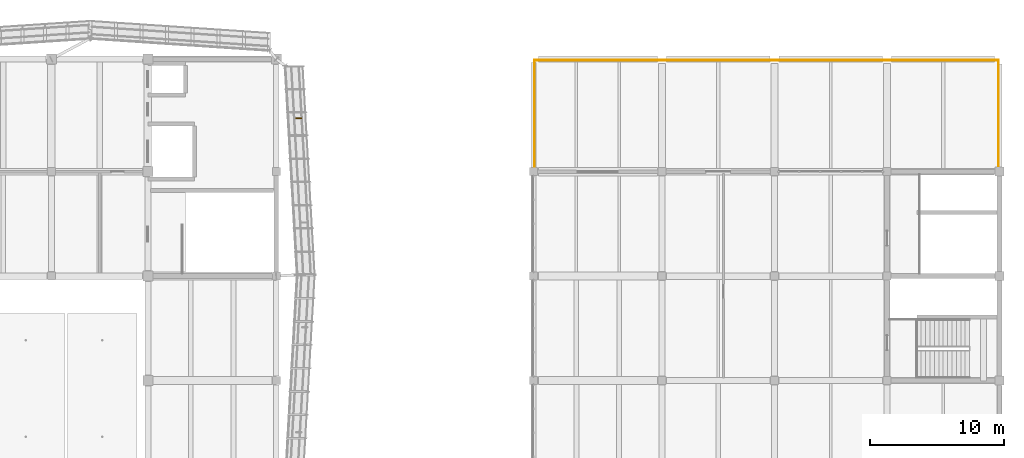
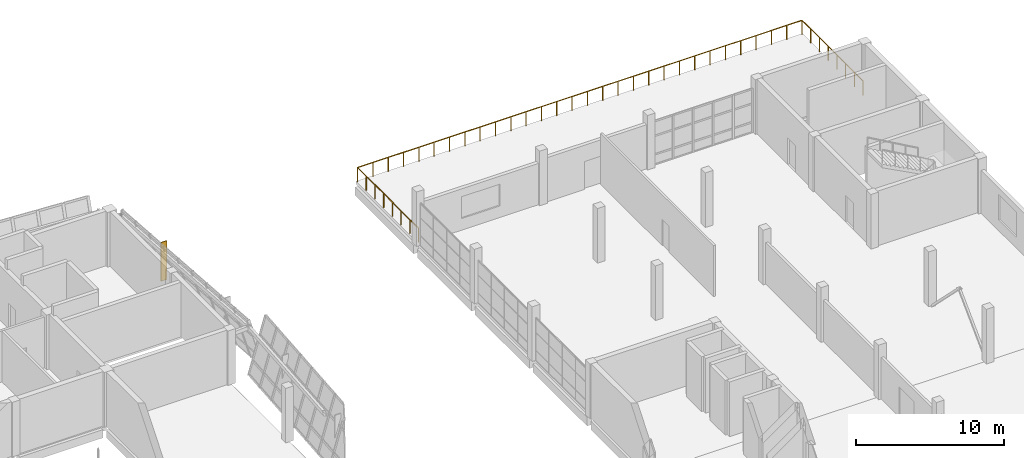
# One storey, part 71 of 71: 1 railing, 1 shading device.
"""IFC4 building model written with IfcOpenShell, lengths in metres."""

from ifc_helpers import new_model, si_unit, direction, frame, origin, origin_2d, place, context, subcontext, project, spatial, rectangle, circle, extrude, material, type_object, element, save


model = new_model("IFC4")

# Units and contexts
model_context = context("Model", 3, precision=1e-05, world=origin(), true_north=direction((0.0, 1.0)))
body_context = subcontext(model_context, "Body", "Model", "MODEL_VIEW")
ifc_project = project(units=[si_unit("LENGTHUNIT", "METRE"), si_unit("AREAUNIT", "SQUARE_METRE"), si_unit("VOLUMEUNIT", "CUBIC_METRE"), si_unit("PLANEANGLEUNIT", "RADIAN"), si_unit("MASSUNIT", "GRAM", prefix="KILO")], contexts=[model_context])

# Site, building, storey
site_placement = place(None, origin())
site = spatial("IfcSite", under=ifc_project, at=site_placement, CompositionType="ELEMENT")
building_placement = place(site_placement, origin())
building = spatial("IfcBuilding", under=site, at=building_placement, Name="Pellamere Symphony Hall", CompositionType="ELEMENT")
storey_placement = place(building_placement, frame((0.0, 0.0, 15.0)))
storey = spatial("IfcBuildingStorey", under=building, at=storey_placement, Name="L03", CompositionType="ELEMENT", Elevation=15.0)

# Shading device
ifc_material_1 = material(Name="Champagne-Anodised Extruded Aluminium 6063-T6", Category="aluminium")
shading_device_type = type_object("IfcShadingDeviceType", Name="Exterior Shading SD-01 65x450", PredefinedType="SHUTTER", material=ifc_material_1)
shading_device_placement = place(storey_placement, frame((120.4814453125, 89.199951171875, 0.64990234375), z_axis=(0.0, 0.0, 1.0), x_axis=(0.0, 1.0, 0.0)))
element("IfcShadingDevice", 1, at=shading_device_placement, inside=storey, type_object=shading_device_type, Name="Crystal Acoustic Sunshade Fin CW-CR09 (L03)", PredefinedType="SHUTTER", context=body_context, shape_type="SweptSolid", body=[
    extrude(rectangle(XDim=0.06494140625, YDim=0.449951171875, at=origin_2d()), origin(), (0.0, 0.0, 1.0), 3.199951171875),
])

# Railing
ifc_material_2 = material(Name="Laminated Safety Glass 21.5mm with Stainless Cap", Category="glass")
railing_type = type_object("IfcRailingType", Name="Guardrail GR-03 H1180 Laminated", PredefinedType="GUARDRAIL", material=ifc_material_2)
railing_placement = place(storey_placement, frame((138.080078125, 85.280029296875, 0.0)))
element("IfcRailing", 2, at=railing_placement, inside=storey, type_object=railing_type, Name="Safety Guardrail GR-TER-L03-V5N", PredefinedType="GUARDRAIL", context=body_context, shape_type="SweptSolid", body=[
    extrude(circle(Radius=0.02392578125, at=origin_2d()), frame((0.0, 0.0, 1.15576171875), z_axis=(0.0, 1.0, 0.0), x_axis=(-1.0, 0.0, 0.0)), (0.0, 0.0, 1.0), 8.239990234375),
    extrude(circle(Radius=0.02392578125, at=origin_2d()), frame((0.0, 8.239990234375, 1.15576171875), z_axis=(1.0, 0.0, 0.0), x_axis=(0.0, 1.0, 0.0)), (0.0, 0.0, 1.0), 34.639892578125),
    extrude(circle(Radius=0.02392578125, at=origin_2d()), frame((34.639892578125, 8.239990234375, 1.15576171875), z_axis=(0.0, -1.0, 0.0), x_axis=(1.0, 0.0, 0.0)), (0.0, 0.0, 1.0), 8.239990234375),
    extrude(circle(Radius=0.02099609375, at=origin_2d()), origin(), (0.0, 0.0, 1.0), 1.1318359375),
    extrude(circle(Radius=0.02099609375, at=origin_2d()), frame((0.0, 1.17724609375, 0.0)), (0.0, 0.0, 1.0), 1.1318359375),
    extrude(circle(Radius=0.02099609375, at=origin_2d()), frame((0.0, 2.354248046875, 0.0)), (0.0, 0.0, 1.0), 1.1318359375),
    extrude(circle(Radius=0.02099609375, at=origin_2d()), frame((0.0, 3.531494140625, 0.0)), (0.0, 0.0, 1.0), 1.1318359375),
    extrude(circle(Radius=0.02099609375, at=origin_2d()), frame((0.0, 4.70849609375, 0.0)), (0.0, 0.0, 1.0), 1.1318359375),
    extrude(circle(Radius=0.02099609375, at=origin_2d()), frame((0.0, 5.8857421875, 0.0)), (0.0, 0.0, 1.0), 1.1318359375),
    extrude(circle(Radius=0.02099609375, at=origin_2d()), frame((0.0, 7.062744140625, 0.0)), (0.0, 0.0, 1.0), 1.1318359375),
    extrude(circle(Radius=0.02099609375, at=origin_2d()), frame((0.0, 8.239990234375, 0.0)), (0.0, 0.0, 1.0), 1.1318359375),
    extrude(circle(Radius=0.02099609375, at=origin_2d()), frame((1.194580078125, 8.239990234375, 0.0)), (0.0, 0.0, 1.0), 1.1318359375),
    extrude(circle(Radius=0.02099609375, at=origin_2d()), frame((2.388916015625, 8.239990234375, 0.0)), (0.0, 0.0, 1.0), 1.1318359375),
    extrude(circle(Radius=0.02099609375, at=origin_2d()), frame((3.58349609375, 8.239990234375, 0.0)), (0.0, 0.0, 1.0), 1.1318359375),
    extrude(circle(Radius=0.02099609375, at=origin_2d()), frame((4.77783203125, 8.239990234375, 0.0)), (0.0, 0.0, 1.0), 1.1318359375),
    extrude(circle(Radius=0.02099609375, at=origin_2d()), frame((5.972412109375, 8.239990234375, 0.0)), (0.0, 0.0, 1.0), 1.1318359375),
    extrude(circle(Radius=0.02099609375, at=origin_2d()), frame((7.1669921875, 8.239990234375, 0.0)), (0.0, 0.0, 1.0), 1.1318359375),
    extrude(circle(Radius=0.02099609375, at=origin_2d()), frame((8.361328125, 8.239990234375, 0.0)), (0.0, 0.0, 1.0), 1.1318359375),
    extrude(circle(Radius=0.02099609375, at=origin_2d()), frame((9.555908203125, 8.239990234375, 0.0)), (0.0, 0.0, 1.0), 1.1318359375),
    extrude(circle(Radius=0.02099609375, at=origin_2d()), frame((10.750244140625, 8.239990234375, 0.0)), (0.0, 0.0, 1.0), 1.1318359375),
    extrude(circle(Radius=0.02099609375, at=origin_2d()), frame((11.94482421875, 8.239990234375, 0.0)), (0.0, 0.0, 1.0), 1.1318359375),
    extrude(circle(Radius=0.02099609375, at=origin_2d()), frame((13.13916015625, 8.239990234375, 0.0)), (0.0, 0.0, 1.0), 1.1318359375),
    extrude(circle(Radius=0.02099609375, at=origin_2d()), frame((14.333740234375, 8.239990234375, 0.0)), (0.0, 0.0, 1.0), 1.1318359375),
    extrude(circle(Radius=0.02099609375, at=origin_2d()), frame((15.5283203125, 8.239990234375, 0.0)), (0.0, 0.0, 1.0), 1.1318359375),
    extrude(circle(Radius=0.02099609375, at=origin_2d()), frame((16.72265625, 8.239990234375, 0.0)), (0.0, 0.0, 1.0), 1.1318359375),
    extrude(circle(Radius=0.02099609375, at=origin_2d()), frame((17.917236328125, 8.239990234375, 0.0)), (0.0, 0.0, 1.0), 1.1318359375),
    extrude(circle(Radius=0.02099609375, at=origin_2d()), frame((19.111572265625, 8.239990234375, 0.0)), (0.0, 0.0, 1.0), 1.1318359375),
    extrude(circle(Radius=0.02099609375, at=origin_2d()), frame((20.30615234375, 8.239990234375, 0.0)), (0.0, 0.0, 1.0), 1.1318359375),
    extrude(circle(Radius=0.02099609375, at=origin_2d()), frame((21.500732421875, 8.239990234375, 0.0)), (0.0, 0.0, 1.0), 1.1318359375),
    extrude(circle(Radius=0.02099609375, at=origin_2d()), frame((22.695068359375, 8.239990234375, 0.0)), (0.0, 0.0, 1.0), 1.1318359375),
    extrude(circle(Radius=0.02099609375, at=origin_2d()), frame((23.8896484375, 8.239990234375, 0.0)), (0.0, 0.0, 1.0), 1.1318359375),
    extrude(circle(Radius=0.02099609375, at=origin_2d()), frame((25.083984375, 8.239990234375, 0.0)), (0.0, 0.0, 1.0), 1.1318359375),
    extrude(circle(Radius=0.02099609375, at=origin_2d()), frame((26.278564453125, 8.239990234375, 0.0)), (0.0, 0.0, 1.0), 1.1318359375),
    extrude(circle(Radius=0.02099609375, at=origin_2d()), frame((27.472900390625, 8.239990234375, 0.0)), (0.0, 0.0, 1.0), 1.1318359375),
    extrude(circle(Radius=0.02099609375, at=origin_2d()), frame((28.66748046875, 8.239990234375, 0.0)), (0.0, 0.0, 1.0), 1.1318359375),
    extrude(circle(Radius=0.02099609375, at=origin_2d()), frame((29.862060546875, 8.239990234375, 0.0)), (0.0, 0.0, 1.0), 1.1318359375),
    extrude(circle(Radius=0.02099609375, at=origin_2d()), frame((31.056396484375, 8.239990234375, 0.0)), (0.0, 0.0, 1.0), 1.1318359375),
    extrude(circle(Radius=0.02099609375, at=origin_2d()), frame((32.2509765625, 8.239990234375, 0.0)), (0.0, 0.0, 1.0), 1.1318359375),
    extrude(circle(Radius=0.02099609375, at=origin_2d()), frame((33.4453125, 8.239990234375, 0.0)), (0.0, 0.0, 1.0), 1.1318359375),
    extrude(circle(Radius=0.02099609375, at=origin_2d()), frame((34.639892578125, 8.239990234375, 0.0)), (0.0, 0.0, 1.0), 1.1318359375),
    extrude(circle(Radius=0.02099609375, at=origin_2d()), frame((34.639892578125, 7.062744140625, 0.0)), (0.0, 0.0, 1.0), 1.1318359375),
    extrude(circle(Radius=0.02099609375, at=origin_2d()), frame((34.639892578125, 5.8857421875, 0.0)), (0.0, 0.0, 1.0), 1.1318359375),
    extrude(circle(Radius=0.02099609375, at=origin_2d()), frame((34.639892578125, 4.70849609375, 0.0)), (0.0, 0.0, 1.0), 1.1318359375),
    extrude(circle(Radius=0.02099609375, at=origin_2d()), frame((34.639892578125, 3.531494140625, 0.0)), (0.0, 0.0, 1.0), 1.1318359375),
    extrude(circle(Radius=0.02099609375, at=origin_2d()), frame((34.639892578125, 2.354248046875, 0.0)), (0.0, 0.0, 1.0), 1.1318359375),
    extrude(circle(Radius=0.02099609375, at=origin_2d()), frame((34.639892578125, 1.17724609375, 0.0)), (0.0, 0.0, 1.0), 1.1318359375),
    extrude(circle(Radius=0.02099609375, at=origin_2d()), frame((34.639892578125, 0.0, 0.0)), (0.0, 0.0, 1.0), 1.1318359375),
])

save(model, "model.ifc")
